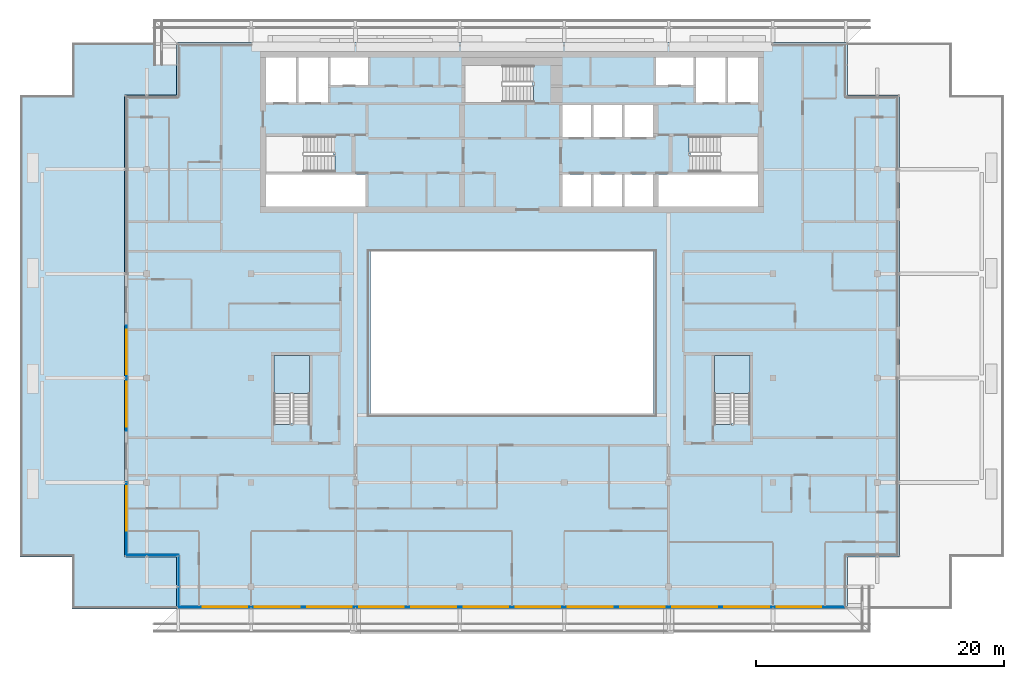
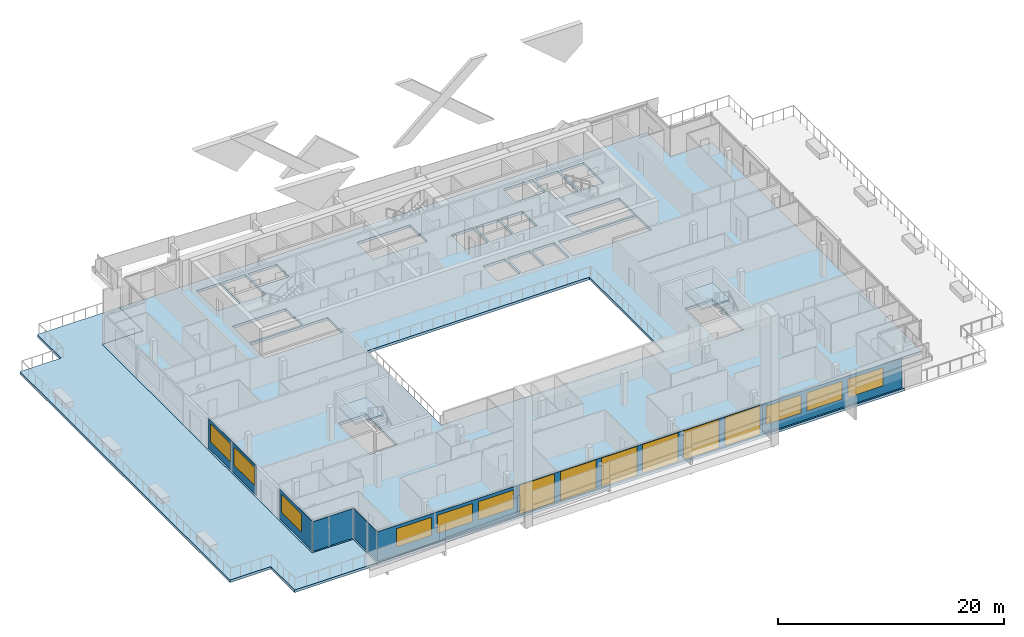
# One storey, part 15 of 29: 15 windows, 7 plates, 4 slabs, 15 openings, 6 elements without a shape of their own.
"""IFC4 building model written with IfcOpenShell, lengths in metres."""

from ifc_helpers import new_model, si_unit, direction, frame, frame_2d, origin, place, context, subcontext, project, spatial, polyline, rectangle, outline, extrude, material, layer, layer_set, type_object, element, fill, aggregate, save


model = new_model("IFC4")

# Units and contexts
model_context = context("Model", 3, precision=1e-05, world=origin(), true_north=direction((0.0, 1.0)))
body_context = subcontext(model_context, "Body", "Model", "MODEL_VIEW")
ifc_project = project(units=[si_unit("LENGTHUNIT", "METRE"), si_unit("AREAUNIT", "SQUARE_METRE"), si_unit("VOLUMEUNIT", "CUBIC_METRE"), si_unit("PLANEANGLEUNIT", "RADIAN"), si_unit("MASSUNIT", "GRAM", prefix="KILO")], contexts=[model_context])

# Site, building, storey
site_placement = place(None, origin())
site = spatial("IfcSite", under=ifc_project, at=site_placement, CompositionType="ELEMENT")
building_placement = place(site_placement, origin())
building = spatial("IfcBuilding", under=site, at=building_placement, Name="Saffron Gate Tower", CompositionType="ELEMENT")
storey_placement = place(building_placement, frame((0.0, 0.0, 270.75)))
storey = spatial("IfcBuildingStorey", under=building, at=storey_placement, Name="L65", CompositionType="ELEMENT", Elevation=270.75)

# Curtain wall, plates, openings, windows
ifc_material_1 = material(Name="Aluminium, bronze anodised", Category="aluminium")
curtain_wall_type_1 = type_object("IfcCurtainWallType", Name="CWS1 curtain wall front facade", PredefinedType="NOTDEFINED", material=ifc_material_1)
curtain_wall_1_placement = place(storey_placement, origin())
curtain_wall_1 = element("IfcCurtainWall", 1, at=curtain_wall_1_placement, inside=storey, type_object=curtain_wall_type_1, Name="CWS1 run 1", PredefinedType="NOTDEFINED")
ifc_material_2 = material(Name="Clear low-iron laminated glass", Category="glass")
ifc_layer_1 = layer(ifc_material_2, 0.028076171875)
ifc_layer_set_1 = layer_set([ifc_layer_1], Name="CWS1 clear glass")
plate_type_1 = type_object("IfcPlateType", Name="CWS1 clear glass", PredefinedType="CURTAIN_PANEL", material=ifc_layer_set_1)
plate_1_placement = place(storey_placement, frame((75.030029296875, 30.174072265625, 0.0), z_axis=(0.0, 0.0, 1.0), x_axis=(1.0, 0.0, 0.0)))
plate_1 = element("IfcPlate", 2, at=plate_1_placement, type_object=plate_type_1, Name="CWS1 clear glass panel", PredefinedType="CURTAIN_PANEL", context=body_context, shape_type="SweptSolid", body=[
    extrude(rectangle(XDim=25.139892578125, YDim=0.028076171875, at=frame_2d((12.56982421875, 0.0))), origin(), (0.0, 0.0, 1.0), 3.199951171875),
])
opening_1_placement = place(plate_1_placement, frame((0.27001953125, 0.0, 0.050048828125)))
opening_1 = element("IfcOpeningElement", 3, at=opening_1_placement, cuts=plate_1, Name="Opening WA", PredefinedType="OPENING", context=body_context, shape_type="SweptSolid", body=[
    extrude(rectangle(XDim=3.60009765625, YDim=3.10009765625, at=frame_2d((1.800048828125, 1.550048828125))), frame((0.0, 0.02392578125, 0.0), z_axis=(0.0, -1.0, 0.0), x_axis=(1.0, 0.0, 0.0)), (0.0, 0.0, 1.0), 0.048095703125),
])
opening_2_placement = place(plate_1_placement, frame((4.469970703125, 0.0, 0.050048828125)))
opening_2 = element("IfcOpeningElement", 4, at=opening_2_placement, cuts=plate_1, Name="Opening WA", PredefinedType="OPENING", context=body_context, shape_type="SweptSolid", body=[
    extrude(rectangle(XDim=3.60009765625, YDim=3.10009765625, at=frame_2d((1.800048828125, 1.550048828125))), frame((0.0, 0.02392578125, 0.0), z_axis=(0.0, -1.0, 0.0), x_axis=(1.0, 0.0, 0.0)), (0.0, 0.0, 1.0), 0.048095703125),
])
opening_3_placement = place(plate_1_placement, frame((8.669921875, 0.0, 0.050048828125)))
opening_3 = element("IfcOpeningElement", 5, at=opening_3_placement, cuts=plate_1, Name="Opening WA", PredefinedType="OPENING", context=body_context, shape_type="SweptSolid", body=[
    extrude(rectangle(XDim=3.60009765625, YDim=3.10009765625, at=frame_2d((1.800048828125, 1.550048828125))), frame((0.0, 0.02392578125, 0.0), z_axis=(0.0, -1.0, 0.0), x_axis=(1.0, 0.0, 0.0)), (0.0, 0.0, 1.0), 0.048095703125),
])
opening_4_placement = place(plate_1_placement, frame((12.8701171875, 0.0, 0.050048828125)))
opening_4 = element("IfcOpeningElement", 6, at=opening_4_placement, cuts=plate_1, Name="Opening WA", PredefinedType="OPENING", context=body_context, shape_type="SweptSolid", body=[
    extrude(rectangle(XDim=3.60009765625, YDim=3.10009765625, at=frame_2d((1.800048828125, 1.550048828125))), frame((0.0, 0.02392578125, 0.0), z_axis=(0.0, -1.0, 0.0), x_axis=(1.0, 0.0, 0.0)), (0.0, 0.0, 1.0), 0.048095703125),
])
opening_5_placement = place(plate_1_placement, frame((17.070068359375, 0.0, 0.050048828125)))
opening_5 = element("IfcOpeningElement", 7, at=opening_5_placement, cuts=plate_1, Name="Opening WA", PredefinedType="OPENING", context=body_context, shape_type="SweptSolid", body=[
    extrude(rectangle(XDim=3.60009765625, YDim=3.10009765625, at=frame_2d((1.800048828125, 1.550048828125))), frame((0.0, 0.02392578125, 0.0), z_axis=(0.0, -1.0, 0.0), x_axis=(1.0, 0.0, 0.0)), (0.0, 0.0, 1.0), 0.048095703125),
])
opening_6_placement = place(plate_1_placement, frame((21.27001953125, 0.0, 0.050048828125)))
opening_6 = element("IfcOpeningElement", 8, at=opening_6_placement, cuts=plate_1, Name="Opening WA", PredefinedType="OPENING", context=body_context, shape_type="SweptSolid", body=[
    extrude(rectangle(XDim=3.60009765625, YDim=3.10009765625, at=frame_2d((1.800048828125, 1.550048828125))), frame((0.0, 0.02392578125, 0.0), z_axis=(0.0, -1.0, 0.0), x_axis=(1.0, 0.0, 0.0)), (0.0, 0.0, 1.0), 0.048095703125),
])
ifc_material_3 = material(Name="Clear low-iron laminated glass in bronze frame", Category="glass")
ifc_layer_2 = layer(ifc_material_3, 0.06005859375)
ifc_layer_set_2 = layer_set([ifc_layer_2], Name="WA operable atrium unit 3600x3100")
window_type_1 = type_object("IfcWindowType", Name="WA operable atrium unit 3600x3100", PartitioningType="DOUBLE_PANEL_HORIZONTAL", PredefinedType="WINDOW", material=ifc_layer_set_2)
window_1_placement = place(opening_1_placement, origin())
window_1 = element("IfcWindow", 9, at=window_1_placement, type_object=window_type_1, Name="WA operable atrium unit", OverallHeight=3.10009765625, OverallWidth=3.60009765625, PartitioningType="SINGLE_PANEL", PredefinedType="WINDOW", context=body_context, shape_type="SweptSolid", body=[
    extrude(rectangle(XDim=3.60009765625, YDim=3.10009765625, at=frame_2d((1.800048828125, 1.550048828125))), frame((0.0, 0.013671875, 0.0), z_axis=(0.0, -1.0, 0.0), x_axis=(1.0, 0.0, 0.0)), (0.0, 0.0, 1.0), 0.027587890625),
])
fill(opening_1, window_1)
window_2_placement = place(opening_2_placement, origin())
window_2 = element("IfcWindow", 10, at=window_2_placement, type_object=window_type_1, Name="WA operable atrium unit", OverallHeight=3.10009765625, OverallWidth=3.60009765625, PartitioningType="SINGLE_PANEL", PredefinedType="WINDOW", context=body_context, shape_type="SweptSolid", body=[
    extrude(rectangle(XDim=3.60009765625, YDim=3.10009765625, at=frame_2d((1.800048828125, 1.550048828125))), frame((0.0, 0.013671875, 0.0), z_axis=(0.0, -1.0, 0.0), x_axis=(1.0, 0.0, 0.0)), (0.0, 0.0, 1.0), 0.027587890625),
])
fill(opening_2, window_2)
window_3_placement = place(opening_3_placement, origin())
window_3 = element("IfcWindow", 11, at=window_3_placement, type_object=window_type_1, Name="WA operable atrium unit", OverallHeight=3.10009765625, OverallWidth=3.60009765625, PartitioningType="SINGLE_PANEL", PredefinedType="WINDOW", context=body_context, shape_type="SweptSolid", body=[
    extrude(rectangle(XDim=3.60009765625, YDim=3.10009765625, at=frame_2d((1.800048828125, 1.550048828125))), frame((0.0, 0.013671875, 0.0), z_axis=(0.0, -1.0, 0.0), x_axis=(1.0, 0.0, 0.0)), (0.0, 0.0, 1.0), 0.027587890625),
])
fill(opening_3, window_3)
window_4_placement = place(opening_4_placement, origin())
window_4 = element("IfcWindow", 12, at=window_4_placement, type_object=window_type_1, Name="WA operable atrium unit", OverallHeight=3.10009765625, OverallWidth=3.60009765625, PartitioningType="SINGLE_PANEL", PredefinedType="WINDOW", context=body_context, shape_type="SweptSolid", body=[
    extrude(rectangle(XDim=3.60009765625, YDim=3.10009765625, at=frame_2d((1.800048828125, 1.550048828125))), frame((0.0, 0.013671875, 0.0), z_axis=(0.0, -1.0, 0.0), x_axis=(1.0, 0.0, 0.0)), (0.0, 0.0, 1.0), 0.027587890625),
])
fill(opening_4, window_4)
window_5_placement = place(opening_5_placement, origin())
window_5 = element("IfcWindow", 13, at=window_5_placement, type_object=window_type_1, Name="WA operable atrium unit", OverallHeight=3.10009765625, OverallWidth=3.60009765625, PartitioningType="SINGLE_PANEL", PredefinedType="WINDOW", context=body_context, shape_type="SweptSolid", body=[
    extrude(rectangle(XDim=3.60009765625, YDim=3.10009765625, at=frame_2d((1.800048828125, 1.550048828125))), frame((0.0, 0.013671875, 0.0), z_axis=(0.0, -1.0, 0.0), x_axis=(1.0, 0.0, 0.0)), (0.0, 0.0, 1.0), 0.027587890625),
])
fill(opening_5, window_5)
window_6_placement = place(opening_6_placement, origin())
window_6 = element("IfcWindow", 14, at=window_6_placement, type_object=window_type_1, Name="WA operable atrium unit", OverallHeight=3.10009765625, OverallWidth=3.60009765625, PartitioningType="SINGLE_PANEL", PredefinedType="WINDOW", context=body_context, shape_type="SweptSolid", body=[
    extrude(rectangle(XDim=3.60009765625, YDim=3.10009765625, at=frame_2d((1.800048828125, 1.550048828125))), frame((0.0, 0.013671875, 0.0), z_axis=(0.0, -1.0, 0.0), x_axis=(1.0, 0.0, 0.0)), (0.0, 0.0, 1.0), 0.027587890625),
])
fill(opening_6, window_6)
ifc_material_4 = material(Name="Fritted bronze-tinted laminated glass", Category="glass")
ifc_layer_3 = layer(ifc_material_4, 0.028076171875)
ifc_layer_set_3 = layer_set([ifc_layer_3], Name="CWS1 fixed glass")
plate_type_2 = type_object("IfcPlateType", Name="CWS1 fixed glass", PredefinedType="CURTAIN_PANEL", material=ifc_layer_set_3)
plate_2_placement = place(storey_placement, frame((60.7880859375, 30.174072265625, 0.0), z_axis=(0.0, 0.0, 1.0), x_axis=(1.0, 0.0, 0.0)))
plate_2 = element("IfcPlate", 15, at=plate_2_placement, type_object=plate_type_2, Name="CWS1 glass panel", PredefinedType="CURTAIN_PANEL", context=body_context, shape_type="SweptSolid", body=[
    extrude(rectangle(XDim=14.241943359375, YDim=0.028076171875, at=frame_2d((7.12109375, 0.0))), origin(), (0.0, 0.0, 1.0), 3.199951171875),
])
opening_7_placement = place(plate_2_placement, frame((1.912109375, 0.0, 0.89990234375)))
opening_7 = element("IfcOpeningElement", 16, at=opening_7_placement, cuts=plate_2, Name="Opening W1", PredefinedType="OPENING", context=body_context, shape_type="SweptSolid", body=[
    extrude(rectangle(XDim=3.60009765625, YDim=1.949951171875, at=frame_2d((1.800048828125, 0.97509765625))), frame((0.0, 0.02392578125, 0.0), z_axis=(0.0, -1.0, 0.0), x_axis=(1.0, 0.0, 0.0)), (0.0, 0.0, 1.0), 0.048095703125),
])
opening_8_placement = place(plate_2_placement, frame((6.112060546875, 0.0, 0.89990234375)))
opening_8 = element("IfcOpeningElement", 17, at=opening_8_placement, cuts=plate_2, Name="Opening W1", PredefinedType="OPENING", context=body_context, shape_type="SweptSolid", body=[
    extrude(rectangle(XDim=3.60009765625, YDim=1.949951171875, at=frame_2d((1.800048828125, 0.97509765625))), frame((0.0, 0.02392578125, 0.0), z_axis=(0.0, -1.0, 0.0), x_axis=(1.0, 0.0, 0.0)), (0.0, 0.0, 1.0), 0.048095703125),
])
opening_9_placement = place(plate_2_placement, frame((10.31201171875, 0.0, 0.89990234375)))
opening_9 = element("IfcOpeningElement", 18, at=opening_9_placement, cuts=plate_2, Name="Opening W1", PredefinedType="OPENING", context=body_context, shape_type="SweptSolid", body=[
    extrude(rectangle(XDim=3.60009765625, YDim=1.949951171875, at=frame_2d((1.800048828125, 0.97509765625))), frame((0.0, 0.02392578125, 0.0), z_axis=(0.0, -1.0, 0.0), x_axis=(1.0, 0.0, 0.0)), (0.0, 0.0, 1.0), 0.048095703125),
])
ifc_material_5 = material(Name="Fritted bronze-tinted laminated glass in bronze frame", Category="glass")
ifc_layer_4 = layer(ifc_material_5, 0.06005859375)
ifc_layer_set_4 = layer_set([ifc_layer_4], Name="W1 operable panel 3600x1950")
window_type_2 = type_object("IfcWindowType", Name="W1 operable panel 3600x1950", PartitioningType="DOUBLE_PANEL_HORIZONTAL", PredefinedType="WINDOW", material=ifc_layer_set_4)
window_7_placement = place(opening_7_placement, origin())
window_7 = element("IfcWindow", 19, at=window_7_placement, type_object=window_type_2, Name="W1 operable panel", OverallHeight=1.949951171875, OverallWidth=3.60009765625, PartitioningType="SINGLE_PANEL", PredefinedType="WINDOW", context=body_context, shape_type="SweptSolid", body=[
    extrude(rectangle(XDim=3.60009765625, YDim=1.949951171875, at=frame_2d((1.800048828125, 0.97509765625))), frame((0.0, 0.013671875, 0.0), z_axis=(0.0, -1.0, 0.0), x_axis=(1.0, 0.0, 0.0)), (0.0, 0.0, 1.0), 0.027587890625),
])
fill(opening_7, window_7)
window_8_placement = place(opening_8_placement, origin())
window_8 = element("IfcWindow", 20, at=window_8_placement, type_object=window_type_2, Name="W1 operable panel", OverallHeight=1.949951171875, OverallWidth=3.60009765625, PartitioningType="SINGLE_PANEL", PredefinedType="WINDOW", context=body_context, shape_type="SweptSolid", body=[
    extrude(rectangle(XDim=3.60009765625, YDim=1.949951171875, at=frame_2d((1.800048828125, 0.97509765625))), frame((0.0, 0.013671875, 0.0), z_axis=(0.0, -1.0, 0.0), x_axis=(1.0, 0.0, 0.0)), (0.0, 0.0, 1.0), 0.027587890625),
])
fill(opening_8, window_8)
window_9_placement = place(opening_9_placement, origin())
window_9 = element("IfcWindow", 21, at=window_9_placement, type_object=window_type_2, Name="W1 operable panel", OverallHeight=1.949951171875, OverallWidth=3.60009765625, PartitioningType="SINGLE_PANEL", PredefinedType="WINDOW", context=body_context, shape_type="SweptSolid", body=[
    extrude(rectangle(XDim=3.60009765625, YDim=1.949951171875, at=frame_2d((1.800048828125, 0.97509765625))), frame((0.0, 0.013671875, 0.0), z_axis=(0.0, -1.0, 0.0), x_axis=(1.0, 0.0, 0.0)), (0.0, 0.0, 1.0), 0.027587890625),
])
fill(opening_9, window_9)
plate_3_placement = place(storey_placement, frame((100.169921875, 30.174072265625, 0.0), z_axis=(0.0, 0.0, 1.0), x_axis=(1.0, 0.0, 0.0)))
plate_3 = element("IfcPlate", 22, at=plate_3_placement, type_object=plate_type_2, Name="CWS1 glass panel", PredefinedType="CURTAIN_PANEL", context=body_context, shape_type="SweptSolid", body=[
    extrude(rectangle(XDim=14.2421875, YDim=0.028076171875, at=frame_2d((7.12109375, 0.0))), origin(), (0.0, 0.0, 1.0), 3.199951171875),
])
opening_10_placement = place(plate_3_placement, frame((0.330078125, 0.0, 0.89990234375)))
opening_10 = element("IfcOpeningElement", 23, at=opening_10_placement, cuts=plate_3, Name="Opening W1", PredefinedType="OPENING", context=body_context, shape_type="SweptSolid", body=[
    extrude(rectangle(XDim=3.60009765625, YDim=1.949951171875, at=frame_2d((1.800048828125, 0.97509765625))), frame((0.0, 0.02392578125, 0.0), z_axis=(0.0, -1.0, 0.0), x_axis=(1.0, 0.0, 0.0)), (0.0, 0.0, 1.0), 0.048095703125),
])
opening_11_placement = place(plate_3_placement, frame((4.530029296875, 0.0, 0.89990234375)))
opening_11 = element("IfcOpeningElement", 24, at=opening_11_placement, cuts=plate_3, Name="Opening W1", PredefinedType="OPENING", context=body_context, shape_type="SweptSolid", body=[
    extrude(rectangle(XDim=3.60009765625, YDim=1.949951171875, at=frame_2d((1.800048828125, 0.97509765625))), frame((0.0, 0.02392578125, 0.0), z_axis=(0.0, -1.0, 0.0), x_axis=(1.0, 0.0, 0.0)), (0.0, 0.0, 1.0), 0.048095703125),
])
opening_12_placement = place(plate_3_placement, frame((8.72998046875, 0.0, 0.89990234375)))
opening_12 = element("IfcOpeningElement", 25, at=opening_12_placement, cuts=plate_3, Name="Opening W1", PredefinedType="OPENING", context=body_context, shape_type="SweptSolid", body=[
    extrude(rectangle(XDim=3.60009765625, YDim=1.949951171875, at=frame_2d((1.800048828125, 0.97509765625))), frame((0.0, 0.02392578125, 0.0), z_axis=(0.0, -1.0, 0.0), x_axis=(1.0, 0.0, 0.0)), (0.0, 0.0, 1.0), 0.048095703125),
])
window_10_placement = place(opening_10_placement, origin())
window_10 = element("IfcWindow", 26, at=window_10_placement, type_object=window_type_2, Name="W1 operable panel", OverallHeight=1.949951171875, OverallWidth=3.60009765625, PartitioningType="SINGLE_PANEL", PredefinedType="WINDOW", context=body_context, shape_type="SweptSolid", body=[
    extrude(rectangle(XDim=3.60009765625, YDim=1.949951171875, at=frame_2d((1.800048828125, 0.97509765625))), frame((0.0, 0.013671875, 0.0), z_axis=(0.0, -1.0, 0.0), x_axis=(1.0, 0.0, 0.0)), (0.0, 0.0, 1.0), 0.027587890625),
])
fill(opening_10, window_10)
window_11_placement = place(opening_11_placement, origin())
window_11 = element("IfcWindow", 27, at=window_11_placement, type_object=window_type_2, Name="W1 operable panel", OverallHeight=1.949951171875, OverallWidth=3.60009765625, PartitioningType="SINGLE_PANEL", PredefinedType="WINDOW", context=body_context, shape_type="SweptSolid", body=[
    extrude(rectangle(XDim=3.60009765625, YDim=1.949951171875, at=frame_2d((1.800048828125, 0.97509765625))), frame((0.0, 0.013671875, 0.0), z_axis=(0.0, -1.0, 0.0), x_axis=(1.0, 0.0, 0.0)), (0.0, 0.0, 1.0), 0.027587890625),
])
fill(opening_11, window_11)
window_12_placement = place(opening_12_placement, origin())
window_12 = element("IfcWindow", 28, at=window_12_placement, type_object=window_type_2, Name="W1 operable panel", OverallHeight=1.949951171875, OverallWidth=3.60009765625, PartitioningType="SINGLE_PANEL", PredefinedType="WINDOW", context=body_context, shape_type="SweptSolid", body=[
    extrude(rectangle(XDim=3.60009765625, YDim=1.949951171875, at=frame_2d((1.800048828125, 0.97509765625))), frame((0.0, 0.013671875, 0.0), z_axis=(0.0, -1.0, 0.0), x_axis=(1.0, 0.0, 0.0)), (0.0, 0.0, 1.0), 0.027587890625),
])
fill(opening_12, window_12)
aggregate(curtain_wall_1, [plate_2, plate_3, plate_1, window_7, window_8, window_9, window_10, window_11, window_12, window_1, window_2, window_3, window_4, window_5, window_6])

curtain_wall_type_2 = type_object("IfcCurtainWallType", Name="CWS2 curtain wall side facades", PredefinedType="NOTDEFINED", material=ifc_material_1)
curtain_wall_2_placement = place(storey_placement, origin())
curtain_wall_2 = element("IfcCurtainWall", 29, at=curtain_wall_2_placement, inside=storey, type_object=curtain_wall_type_2, Name="CWS2 run 10", PredefinedType="NOTDEFINED")
ifc_layer_5 = layer(ifc_material_4, 0.028076171875)
ifc_layer_set_5 = layer_set([ifc_layer_5], Name="CWS2 fixed glass")
plate_type_3 = type_object("IfcPlateType", Name="CWS2 fixed glass", PredefinedType="CURTAIN_PANEL", material=ifc_layer_set_5)
plate_4_placement = place(storey_placement, frame((56.573974609375, 52.830078125, 0.0), z_axis=(0.0, 0.0, 1.0), x_axis=(0.0, -1.0, 0.0)))
plate_4 = element("IfcPlate", 30, at=plate_4_placement, type_object=plate_type_3, Name="CWS2 glass panel", PredefinedType="CURTAIN_PANEL", context=body_context, shape_type="SweptSolid", body=[
    extrude(rectangle(XDim=8.4599609375, YDim=0.028076171875, at=frame_2d((4.22998046875, 0.0))), origin(), (0.0, 0.0, 1.0), 3.199951171875),
])
opening_13_placement = place(plate_4_placement, frame((0.330078125, 0.0, 0.89990234375)))
opening_13 = element("IfcOpeningElement", 31, at=opening_13_placement, cuts=plate_4, Name="Opening W1", PredefinedType="OPENING", context=body_context, shape_type="SweptSolid", body=[
    extrude(rectangle(XDim=3.60009765625, YDim=1.949951171875, at=frame_2d((1.800048828125, 0.97509765625))), frame((0.0, 0.02392578125, 0.0), z_axis=(0.0, -1.0, 0.0), x_axis=(1.0, 0.0, 0.0)), (0.0, 0.0, 1.0), 0.048095703125),
])
opening_14_placement = place(plate_4_placement, frame((4.530029296875, 0.0, 0.89990234375)))
opening_14 = element("IfcOpeningElement", 32, at=opening_14_placement, cuts=plate_4, Name="Opening W1", PredefinedType="OPENING", context=body_context, shape_type="SweptSolid", body=[
    extrude(rectangle(XDim=3.60009765625, YDim=1.949951171875, at=frame_2d((1.800048828125, 0.97509765625))), frame((0.0, 0.02392578125, 0.0), z_axis=(0.0, -1.0, 0.0), x_axis=(1.0, 0.0, 0.0)), (0.0, 0.0, 1.0), 0.048095703125),
])
window_13_placement = place(opening_13_placement, origin())
window_13 = element("IfcWindow", 33, at=window_13_placement, type_object=window_type_2, Name="W1 operable panel", OverallHeight=1.949951171875, OverallWidth=3.60009765625, PartitioningType="SINGLE_PANEL", PredefinedType="WINDOW", context=body_context, shape_type="SweptSolid", body=[
    extrude(rectangle(XDim=3.60009765625, YDim=1.949951171875, at=frame_2d((1.800048828125, 0.97509765625))), frame((0.0, 0.013671875, 0.0), z_axis=(0.0, -1.0, 0.0), x_axis=(1.0, 0.0, 0.0)), (0.0, 0.0, 1.0), 0.027587890625),
])
fill(opening_13, window_13)
window_14_placement = place(opening_14_placement, origin())
window_14 = element("IfcWindow", 34, at=window_14_placement, type_object=window_type_2, Name="W1 operable panel", OverallHeight=1.949951171875, OverallWidth=3.60009765625, PartitioningType="SINGLE_PANEL", PredefinedType="WINDOW", context=body_context, shape_type="SweptSolid", body=[
    extrude(rectangle(XDim=3.60009765625, YDim=1.949951171875, at=frame_2d((1.800048828125, 0.97509765625))), frame((0.0, 0.013671875, 0.0), z_axis=(0.0, -1.0, 0.0), x_axis=(1.0, 0.0, 0.0)), (0.0, 0.0, 1.0), 0.027587890625),
])
fill(opening_14, window_14)
plate_5_placement = place(storey_placement, frame((56.573974609375, 40.22998046875, 0.0), z_axis=(0.0, 0.0, 1.0), x_axis=(0.0, -1.0, 0.0)))
plate_5 = element("IfcPlate", 35, at=plate_5_placement, type_object=plate_type_3, Name="CWS2 glass panel", PredefinedType="CURTAIN_PANEL", context=body_context, shape_type="SweptSolid", body=[
    extrude(rectangle(XDim=5.842041015625, YDim=0.028076171875, at=frame_2d((2.9208984375, 0.0))), origin(), (0.0, 0.0, 1.0), 3.199951171875),
])
opening_15_placement = place(plate_5_placement, frame((0.330078125, 0.0, 0.89990234375)))
opening_15 = element("IfcOpeningElement", 36, at=opening_15_placement, cuts=plate_5, Name="Opening W1", PredefinedType="OPENING", context=body_context, shape_type="SweptSolid", body=[
    extrude(rectangle(XDim=3.60009765625, YDim=1.949951171875, at=frame_2d((1.800048828125, 0.97509765625))), frame((0.0, 0.02392578125, 0.0), z_axis=(0.0, -1.0, 0.0), x_axis=(1.0, 0.0, 0.0)), (0.0, 0.0, 1.0), 0.048095703125),
])
window_15_placement = place(opening_15_placement, origin())
window_15 = element("IfcWindow", 37, at=window_15_placement, type_object=window_type_2, Name="W1 operable panel", OverallHeight=1.949951171875, OverallWidth=3.60009765625, PartitioningType="SINGLE_PANEL", PredefinedType="WINDOW", context=body_context, shape_type="SweptSolid", body=[
    extrude(rectangle(XDim=3.60009765625, YDim=1.949951171875, at=frame_2d((1.800048828125, 0.97509765625))), frame((0.0, 0.013671875, 0.0), z_axis=(0.0, -1.0, 0.0), x_axis=(1.0, 0.0, 0.0)), (0.0, 0.0, 1.0), 0.027587890625),
])
fill(opening_15, window_15)
aggregate(curtain_wall_2, [plate_4, plate_5, window_13, window_14, window_15])

# Curtain wall, plate
curtain_wall_type_3 = type_object("IfcCurtainWallType", Name="CWS4 curtain wall corner returns", PredefinedType="NOTDEFINED", material=ifc_material_1)
curtain_wall_3_placement = place(storey_placement, origin())
curtain_wall_3 = element("IfcCurtainWall", 38, at=curtain_wall_3_placement, inside=storey, type_object=curtain_wall_type_3, Name="CWS4 run 11", PredefinedType="NOTDEFINED")
ifc_layer_6 = layer(ifc_material_4, 0.028076171875)
ifc_layer_set_6 = layer_set([ifc_layer_6], Name="CWS4 fixed glass")
plate_type_4 = type_object("IfcPlateType", Name="CWS4 fixed glass", PredefinedType="CURTAIN_PANEL", material=ifc_layer_set_6)
plate_6_placement = place(storey_placement, frame((56.587890625, 34.3740234375, 0.0), z_axis=(0.0, 0.0, 1.0), x_axis=(1.0, 0.0, 0.0)))
plate_6 = element("IfcPlate", 39, at=plate_6_placement, type_object=plate_type_4, Name="CWS4 glass panel", PredefinedType="CURTAIN_PANEL", context=body_context, shape_type="SweptSolid", body=[
    extrude(rectangle(XDim=4.172119140625, YDim=0.028076171875, at=frame_2d((2.0859375, 0.0))), origin(), (0.0, 0.0, 1.0), 3.199951171875),
])
aggregate(curtain_wall_3, [plate_6])

curtain_wall_4_placement = place(storey_placement, origin())
curtain_wall_4 = element("IfcCurtainWall", 40, at=curtain_wall_4_placement, inside=storey, type_object=curtain_wall_type_3, Name="CWS4 run 12", PredefinedType="NOTDEFINED")
plate_7_placement = place(storey_placement, frame((60.77392578125, 34.360107421875, 0.0), z_axis=(0.0, 0.0, 1.0), x_axis=(0.0, -1.0, 0.0)))
plate_7 = element("IfcPlate", 41, at=plate_7_placement, type_object=plate_type_4, Name="CWS4 glass panel", PredefinedType="CURTAIN_PANEL", context=body_context, shape_type="SweptSolid", body=[
    extrude(rectangle(XDim=4.172119140625, YDim=0.028076171875, at=frame_2d((2.0859375, 0.0))), origin(), (0.0, 0.0, 1.0), 3.199951171875),
])
aggregate(curtain_wall_4, [plate_7])

# Slabs
ifc_material_6 = material(Name="Concrete C40", Category="concrete")
ifc_layer_7 = layer(ifc_material_6, 0.280029296875)
ifc_layer_set_7 = layer_set([ifc_layer_7], Name="S2 FLOOR SLAB 280 CONCRETE C40")
slab_type_1 = type_object("IfcSlabType", Name="S2 FLOOR SLAB 280 CONCRETE C40", PredefinedType="FLOOR", material=ifc_layer_set_7)
slab_1_placement = place(storey_placement, frame((0.0, 0.0, -0.280029296875)))
element("IfcSlab", 42, at=slab_1_placement, inside=storey, type_object=slab_type_1, Name="S2 FLOOR SLAB", PredefinedType="FLOOR", context=body_context, shape_type="SweptSolid", body=[
    extrude(outline(polyline([(56.39990234375, 34.199951171875), (60.60009765625, 34.199951171875), (60.60009765625, 30.0), (114.60009765625, 30.0), (114.60009765625, 34.199951171875), (118.800048828125, 34.199951171875), (118.800048828125, 71.39990234375), (114.60009765625, 71.39990234375), (114.60009765625, 75.60009765625), (60.60009765625, 75.60009765625), (60.60009765625, 71.39990234375), (56.39990234375, 71.39990234375), (56.39990234375, 34.199951171875)]), holes=[polyline([(67.800048828125, 62.39990234375), (67.800048828125, 65.0), (75.800048828125, 65.0), (75.800048828125, 62.39990234375), (67.800048828125, 62.39990234375)]), polyline([(67.800048828125, 65.199951171875), (67.800048828125, 68.050048828125), (73.25, 68.050048828125), (73.25, 66.550048828125), (73.34912109375, 66.550048828125), (73.34912109375, 65.199951171875), (67.800048828125, 65.199951171875)]), polyline([(67.800048828125, 70.800048828125), (67.800048828125, 74.39990234375), (70.199951171875, 74.39990234375), (70.199951171875, 70.800048828125), (67.800048828125, 70.800048828125)]), polyline([(68.449951171875, 44.85107421875), (68.449951171875, 50.39990234375), (71.300048828125, 50.39990234375), (71.300048828125, 44.949951171875), (69.800048828125, 44.949951171875), (69.800048828125, 44.85107421875), (68.449951171875, 44.85107421875)]), polyline([(70.39990234375, 70.800048828125), (70.39990234375, 74.39990234375), (72.800048828125, 74.39990234375), (72.800048828125, 70.800048828125), (70.39990234375, 70.800048828125)]), polyline([(73.0, 72.199951171875), (73.0, 74.39990234375), (76.0, 74.39990234375), (76.0, 72.199951171875), (73.0, 72.199951171875)]), polyline([(76.199951171875, 45.60009765625), (76.199951171875, 58.800048828125), (99.0, 58.800048828125), (99.0, 45.60009765625), (76.199951171875, 45.60009765625)]), polyline([(83.800048828125, 70.800048828125), (83.800048828125, 73.75), (89.25, 73.75), (89.25, 72.14990234375), (89.34912109375, 72.14990234375), (89.34912109375, 70.800048828125), (83.800048828125, 70.800048828125)]), polyline([(91.64990234375, 62.39990234375), (91.64990234375, 65.0), (93.949951171875, 65.0), (93.949951171875, 62.39990234375), (91.64990234375, 62.39990234375)]), polyline([(91.64990234375, 68.0), (91.64990234375, 70.60009765625), (93.949951171875, 70.60009765625), (93.949951171875, 68.0), (91.64990234375, 68.0)]), polyline([(94.14990234375, 62.39990234375), (94.14990234375, 65.0), (96.449951171875, 65.0), (96.449951171875, 62.39990234375), (94.14990234375, 62.39990234375)]), polyline([(94.14990234375, 68.0), (94.14990234375, 70.60009765625), (96.449951171875, 70.60009765625), (96.449951171875, 68.0), (94.14990234375, 68.0)]), polyline([(96.64990234375, 62.39990234375), (96.64990234375, 65.0), (98.949951171875, 65.0), (98.949951171875, 62.39990234375), (96.64990234375, 62.39990234375)]), polyline([(96.64990234375, 68.0), (96.64990234375, 70.60009765625), (98.949951171875, 70.60009765625), (98.949951171875, 68.0), (96.64990234375, 68.0)]), polyline([(99.199951171875, 72.199951171875), (99.199951171875, 74.39990234375), (102.199951171875, 74.39990234375), (102.199951171875, 72.199951171875), (99.199951171875, 72.199951171875)]), polyline([(99.39990234375, 62.39990234375), (99.39990234375, 65.0), (107.39990234375, 65.0), (107.39990234375, 62.39990234375), (99.39990234375, 62.39990234375)]), polyline([(101.85107421875, 66.699951171875), (101.85107421875, 68.050048828125), (107.39990234375, 68.050048828125), (107.39990234375, 65.199951171875), (101.949951171875, 65.199951171875), (101.949951171875, 66.699951171875), (101.85107421875, 66.699951171875)]), polyline([(102.39990234375, 70.800048828125), (102.39990234375, 74.39990234375), (104.800048828125, 74.39990234375), (104.800048828125, 70.800048828125), (102.39990234375, 70.800048828125)]), polyline([(103.89990234375, 44.85107421875), (103.89990234375, 50.39990234375), (106.75, 50.39990234375), (106.75, 44.949951171875), (105.25, 44.949951171875), (105.25, 44.85107421875), (103.89990234375, 44.85107421875)]), polyline([(105.0, 70.800048828125), (105.0, 74.39990234375), (107.39990234375, 74.39990234375), (107.39990234375, 70.800048828125), (105.0, 70.800048828125)])]), origin(), (0.0, 0.0, 1.0), 0.280029296875),
])
ifc_layer_8 = layer(ifc_material_6, 0.280029296875)
ifc_layer_set_8 = layer_set([ifc_layer_8], Name="S4 ROOF SLAB 280 CONCRETE C40")
slab_type_2 = type_object("IfcSlabType", Name="S4 ROOF SLAB 280 CONCRETE C40", PredefinedType="ROOF", material=ifc_layer_set_8)
slab_2_placement = place(storey_placement, frame((0.0, 0.0, -0.280029296875)))
element("IfcSlab", 43, at=slab_2_placement, inside=storey, type_object=slab_type_2, Name="S4 TERRACE SLAB", PredefinedType="ROOF", context=body_context, shape_type="SweptSolid", body=[
    extrude(outline(polyline([(48.0, 34.199951171875), (52.199951171875, 34.199951171875), (52.199951171875, 30.0), (60.60009765625, 30.0), (60.60009765625, 34.199951171875), (56.39990234375, 34.199951171875), (56.39990234375, 71.39990234375), (60.60009765625, 71.39990234375), (60.60009765625, 75.60009765625), (52.199951171875, 75.60009765625), (52.199951171875, 71.39990234375), (48.0, 71.39990234375), (48.0, 34.199951171875)])), origin(), (0.0, 0.0, 1.0), 0.280029296875),
])

# Stair, slab
stair_type = type_object("IfcStairType", Name="ST7 Stair 1350 wide, 20 risers of 180", PredefinedType="HALF_TURN_STAIR", material=ifc_material_6)
stair_1_placement = place(storey_placement, origin())
stair_1 = element("IfcStair", 44, at=stair_1_placement, inside=storey, type_object=stair_type, Name="L65 Exit stair D", PredefinedType="HALF_TURN_STAIR")
ifc_layer_9 = layer(ifc_material_6, 0.199951171875)
ifc_layer_set_9 = layer_set([ifc_layer_9], Name="SL1 Stair landing 200")
slab_type_3 = type_object("IfcSlabType", Name="SL1 Stair landing 200", PredefinedType="LANDING", material=ifc_layer_set_9)
slab_3_placement = place(storey_placement, frame((0.0, 0.0, 1.60009765625)))
slab_3 = element("IfcSlab", 45, at=slab_3_placement, type_object=slab_type_3, Name="ST-D landing 1", PredefinedType="LANDING", context=body_context, shape_type="SweptSolid", body=[
    extrude(outline(polyline([(71.300048828125, 47.3701171875), (71.300048828125, 50.39990234375), (68.449951171875, 50.39990234375), (68.449951171875, 47.3701171875), (71.300048828125, 47.3701171875)])), origin(), (0.0, 0.0, 1.0), 0.199951171875),
])
aggregate(stair_1, [slab_3])

stair_2_placement = place(storey_placement, origin())
stair_2 = element("IfcStair", 46, at=stair_2_placement, inside=storey, type_object=stair_type, Name="L65 Exit stair E", PredefinedType="HALF_TURN_STAIR")
slab_4_placement = place(storey_placement, frame((0.0, 0.0, 1.60009765625)))
slab_4 = element("IfcSlab", 47, at=slab_4_placement, type_object=slab_type_3, Name="ST-E landing 1", PredefinedType="LANDING", context=body_context, shape_type="SweptSolid", body=[
    extrude(outline(polyline([(106.75, 47.3701171875), (106.75, 50.39990234375), (103.89990234375, 50.39990234375), (103.89990234375, 47.3701171875), (106.75, 47.3701171875)])), origin(), (0.0, 0.0, 1.0), 0.199951171875),
])
aggregate(stair_2, [slab_4])

save(model, "model.ifc")
